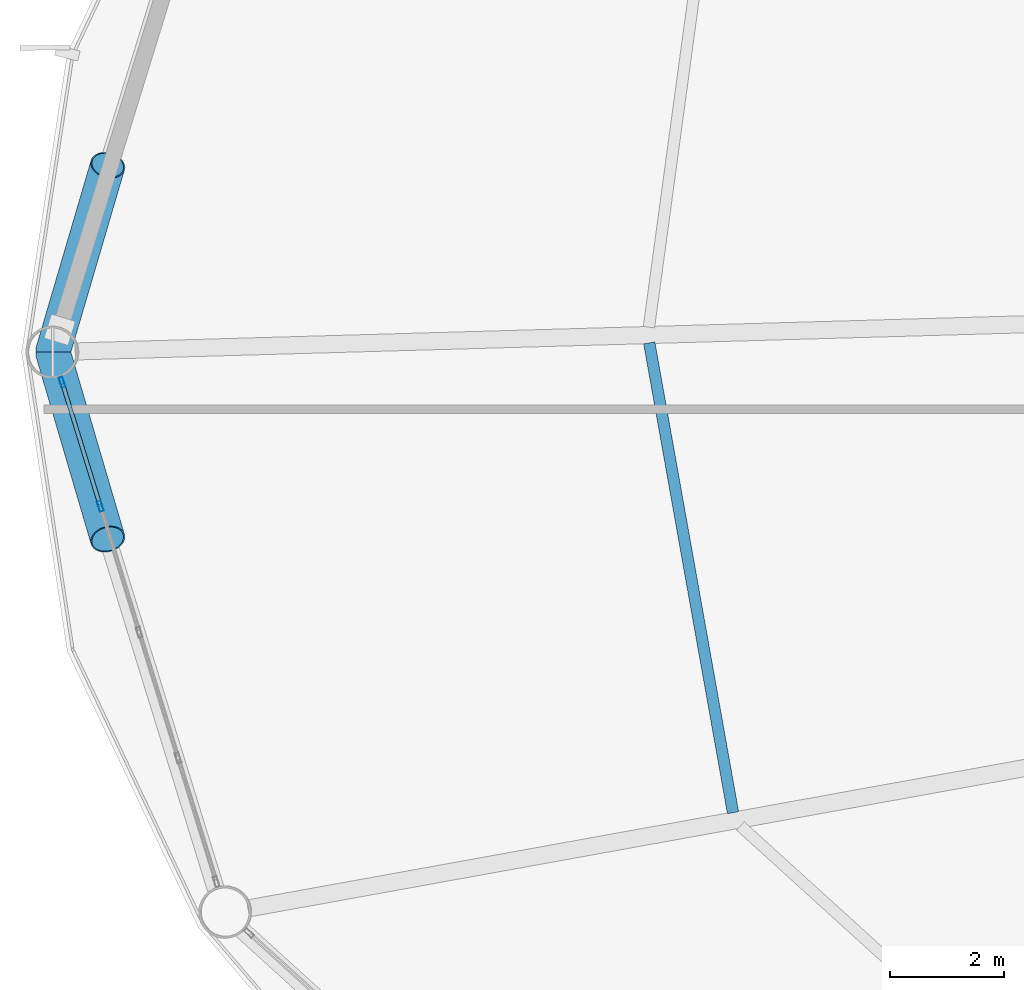
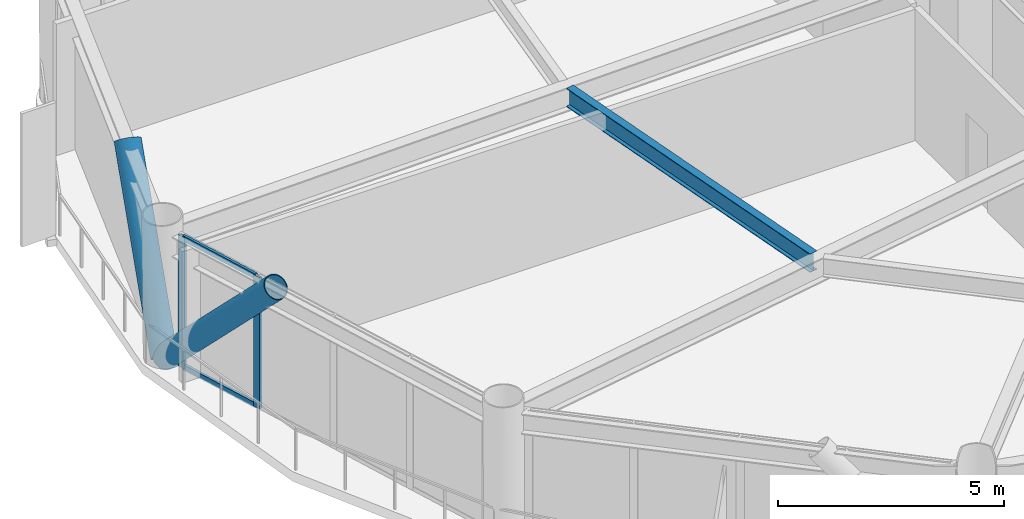
# One storey, part 8 of 25: 6 members, 1 beam, 1 element without a shape of its own.
"""IFC4 building model written with IfcOpenShell, lengths in metres."""

import ifcopenshell
import ifcopenshell.guid

model = None  # the IFC model being written
_history = None  # IfcOwnerHistory: only IFC2X3 demands one
_inside = {}  # id of a spatial element -> (the spatial element, [elements in it])
_under = {}  # id of a project, library or spatial element -> (it, [spatial elements below it])
_declared = {}  # id of a project -> (the project, [libraries it declares])
_typed = {}  # id of a type object -> (the type object, [elements of that type])
_made_of = {}  # id of a material, layer set ... -> (it, [elements and type objects made of it])


def new_model(schema):
    """Start an empty IFC model of exactly this schema.

    Asked for "IFC4X3", IfcOpenShell would pick the latest addendum, in which some entities
    have other attributes; the version numbers below select the first issue.
    IFC2X3 requires an IfcOwnerHistory on every rooted entity: one is made here for all.
    """
    global model, _history
    if schema == "IFC4X3":
        model = ifcopenshell.file(schema_version=(4, 3, 0, 0))
    else:
        model = ifcopenshell.file(schema=schema)
    _inside.clear()
    _under.clear()
    _declared.clear()
    _typed.clear()
    _made_of.clear()
    _history = None
    if model.schema == "IFC2X3":
        org = make("IfcOrganization", Name="unknown")
        user = make(
            "IfcPersonAndOrganization",
            ThePerson=make("IfcPerson", FamilyName="unknown"),
            TheOrganization=org,
        )
        app = make(
            "IfcApplication",
            ApplicationDeveloper=org,
            Version="unknown",
            ApplicationFullName="unknown",
            ApplicationIdentifier="unknown",
        )
        _history = make(
            "IfcOwnerHistory",
            OwningUser=user,
            OwningApplication=app,
            ChangeAction="ADDED",
            CreationDate=0,
        )
    return model


def make(cls, **values):
    """One entity of the class cls with the attributes given. An attribute that is None is left unset."""
    return model.create_entity(
        cls, **{name: value for name, value in values.items() if value is not None}
    )


def rooted(cls, **values):
    """An entity with a GlobalId (a new one), such as an element, a storey or a relation."""
    return make(cls, GlobalId=ifcopenshell.guid.new(), OwnerHistory=_history, **values)


def si_unit(unit_type, name, prefix=None):
    """IfcSIUnit, for example si_unit("LENGTHUNIT", "METRE", prefix="MILLI")."""
    return make("IfcSIUnit", UnitType=unit_type, Prefix=prefix, Name=name)


def assignment(units):
    """IfcUnitAssignment: the units of a project."""
    return None if units is None else make("IfcUnitAssignment", Units=units)


def point(xyz):
    """IfcCartesianPoint."""
    return None if xyz is None else make("IfcCartesianPoint", Coordinates=xyz)


def direction(xyz):
    """IfcDirection."""
    return None if xyz is None else make("IfcDirection", DirectionRatios=xyz)


def frame(location, z_axis=None, x_axis=None):
    """IfcAxis2Placement3D, a coordinate frame: its origin and axes. An axis left out is left unset."""
    return make(
        "IfcAxis2Placement3D",
        Location=point(location),
        Axis=direction(z_axis),
        RefDirection=direction(x_axis),
    )


def frame_2d(location, x_axis=None):
    """IfcAxis2Placement2D, a coordinate frame in the plane: its origin and x axis."""
    return make(
        "IfcAxis2Placement2D", Location=point(location), RefDirection=direction(x_axis)
    )


def origin():
    """The frame at (0, 0, 0) with its axes left unset."""
    return frame((0.0, 0.0, 0.0))


def origin_2d():
    """The frame at (0, 0) in the plane with its x axis left unset."""
    return frame_2d((0.0, 0.0))


def place(relative_to, where):
    """IfcLocalPlacement: puts the frame where relative to a parent placement (None: the world)."""
    return make(
        "IfcLocalPlacement", PlacementRelTo=relative_to, RelativePlacement=where
    )


def context(
    kind, dimensions, precision=None, world=None, true_north=None, identifier=None
):
    """IfcGeometricRepresentationContext, for example the 3D "Model" context."""
    return make(
        "IfcGeometricRepresentationContext",
        ContextIdentifier=identifier,
        ContextType=kind,
        CoordinateSpaceDimension=dimensions,
        Precision=precision,
        WorldCoordinateSystem=world,
        TrueNorth=true_north,
    )


def subcontext(parent, identifier, kind, view, scale=None):
    """IfcGeometricRepresentationSubContext, for example "Body" below "Model"."""
    return make(
        "IfcGeometricRepresentationSubContext",
        ContextIdentifier=identifier,
        ContextType=kind,
        ParentContext=parent,
        TargetScale=scale,
        TargetView=view,
    )


def project(units=None, contexts=None):
    """IfcProject with its units and contexts."""
    return rooted(
        "IfcProject",
        Name="project",
        RepresentationContexts=contexts,
        UnitsInContext=assignment(units),
    )


def spatial(cls, under=None, at=None, **own):
    """A site, building, storey or space (cls), placed at a placement, below another one or the project."""
    s = rooted(cls, ObjectPlacement=at, **own)
    if under is not None:
        _under.setdefault(under.id(), (under, []))[1].append(s)
    return s


def profile(cls, at=None, kind="AREA", **sizes):
    """A parametric profile (cls). Its sizes go by their IFC names, for example OverallWidth=200.0."""
    return make(cls, ProfileType=kind, Position=at, **sizes)


def hollow_rectangle(**sizes):
    """IfcRectangleHollowProfileDef."""
    return profile("IfcRectangleHollowProfileDef", **sizes)


def hollow_circle(**sizes):
    """IfcCircleHollowProfileDef."""
    return profile("IfcCircleHollowProfileDef", **sizes)


def i_section(**sizes):
    """IfcIShapeProfileDef."""
    return profile("IfcIShapeProfileDef", **sizes)


def extrude(swept, where, along, depth):
    """IfcExtrudedAreaSolid: the profile swept, set in the frame where, extruded along a direction by depth."""
    return make(
        "IfcExtrudedAreaSolid",
        SweptArea=swept,
        Position=where,
        ExtrudedDirection=direction(along),
        Depth=depth,
    )


def shape(context_of_items, identifier, shape_type, items):
    """IfcShapeRepresentation: the items that make up one representation, for example the "Body"."""
    return make(
        "IfcShapeRepresentation",
        ContextOfItems=context_of_items,
        RepresentationIdentifier=identifier,
        RepresentationType=shape_type,
        Items=items,
    )


def material(Name=None, Category=None):
    """IfcMaterial."""
    return make("IfcMaterial", Name=Name, Category=Category)


def layer(
    of_material, thickness, ventilated=None, Name=None, Category=None, Priority=None
):
    """IfcMaterialLayer: one layer of a wall or slab, of a material (None: an air gap)."""
    return make(
        "IfcMaterialLayer",
        Material=of_material,
        LayerThickness=thickness,
        IsVentilated=ventilated,
        Name=Name,
        Category=Category,
        Priority=Priority,
    )


def layer_set(layers, Name=None):
    """IfcMaterialLayerSet."""
    return make("IfcMaterialLayerSet", MaterialLayers=layers, LayerSetName=Name)


def material_profile(
    of_material, cross_section, Name=None, Category=None, Priority=None
):
    """IfcMaterialProfile: a cross section and its material."""
    return make(
        "IfcMaterialProfile",
        Name=Name,
        Material=of_material,
        Profile=cross_section,
        Priority=Priority,
        Category=Category,
    )


def profile_set(profiles, Name=None, composite=None):
    """IfcMaterialProfileSet."""
    return make(
        "IfcMaterialProfileSet",
        Name=Name,
        MaterialProfiles=profiles,
        CompositeProfile=composite,
    )


def made_of(thing, what):
    """Note that an element or type object is made of a material, layer set ...; save() writes the relation."""
    if what is not None:
        _made_of.setdefault(what.id(), (what, []))[1].append(thing)
    return thing


def type_object(cls, material=None, **own):
    """A type object (cls), such as IfcWallType, which elements share."""
    return made_of(rooted(cls, **own), material)


def element(
    cls,
    number,
    at=None,
    inside=None,
    cuts=None,
    type_object=None,
    material=None,
    context=None,
    identifier="Body",
    shape_type=None,
    held_by="IfcProductDefinitionShape",
    body=None,
    shapes=None,
    **own,
):
    """One element of the class cls, such as IfcWall. Its Tag is "e" and its number.

    at: its placement. inside: the storey or other place that contains it. cuts: it is an
    opening in that element (IfcRelVoidsElement). A single representation is given by context,
    identifier, shape_type and body (its items); several are given by shapes. held_by: the class
    of the entity that holds the representations. save() writes the other relations.
    """
    e = rooted(cls, Tag="e%d" % number, ObjectPlacement=at, **own)
    if body is not None:
        shapes = [shape(context, identifier, shape_type, body)]
    if shapes is not None:
        e.Representation = make(held_by, Representations=shapes)
    if inside is not None:
        _inside.setdefault(inside.id(), (inside, []))[1].append(e)
    if cuts is not None:
        rooted(
            "IfcRelVoidsElement", RelatingBuildingElement=cuts, RelatedOpeningElement=e
        )
    if type_object is not None:
        _typed.setdefault(type_object.id(), (type_object, []))[1].append(e)
    return made_of(e, material)


def aggregate(whole, parts):
    """IfcRelAggregates: a whole, such as a stair, and the parts it consists of."""
    return rooted("IfcRelAggregates", RelatingObject=whole, RelatedObjects=parts)


def save(model, path):
    """Write the relations noted so far, then the file.

    IfcRelAggregates (storeys below a building ...), IfcRelContainedInSpatialStructure (elements
    in a storey), IfcRelDefinesByType, IfcRelAssociatesMaterial and IfcRelDeclares: one each for
    every whole, place, type object, material and project.
    """
    for whole, parts in _under.values():
        aggregate(whole, parts)
    for where, things in _inside.values():
        rooted(
            "IfcRelContainedInSpatialStructure",
            RelatedElements=things,
            RelatingStructure=where,
        )
    for kind, things in _typed.values():
        rooted("IfcRelDefinesByType", RelatedObjects=things, RelatingType=kind)
    for what, things in _made_of.values():
        rooted("IfcRelAssociatesMaterial", RelatedObjects=things, RelatingMaterial=what)
    for by, libraries in _declared.values():
        rooted("IfcRelDeclares", RelatingContext=by, RelatedDefinitions=libraries)
    model.write(path)


model = new_model("IFC4")

# Units and contexts
model_context = context("Model", 3, precision=1e-05, world=origin(), true_north=direction((0.0, 1.0)))
body_context = subcontext(model_context, "Body", "Model", "MODEL_VIEW")
ifc_project = project(units=[si_unit("LENGTHUNIT", "METRE"), si_unit("AREAUNIT", "SQUARE_METRE"), si_unit("VOLUMEUNIT", "CUBIC_METRE"), si_unit("PLANEANGLEUNIT", "RADIAN"), si_unit("MASSUNIT", "GRAM", prefix="KILO")], contexts=[model_context])

# Site, building, storey
site_placement = place(None, origin())
site = spatial("IfcSite", under=ifc_project, at=site_placement, CompositionType="ELEMENT")
building_placement = place(site_placement, origin())
building = spatial("IfcBuilding", under=site, at=building_placement, Name="Varnakorn Sky Granary", CompositionType="ELEMENT")
storey_placement = place(building_placement, frame((0.0, 0.0, 74.39990234375)))
storey = spatial("IfcBuildingStorey", under=building, at=storey_placement, Name="L18", CompositionType="ELEMENT", Elevation=74.39990234375)

# Beam
ifc_material_1 = material(Name="Steel S355JR", Category="steel")
ifc_material_profile_1 = material_profile(ifc_material_1, i_section(OverallWidth=0.199951171875, OverallDepth=0.5, WebThickness=0.01025390625, FlangeThickness=0.01611328125, at=origin_2d()), Name="IPE 500")
ifc_profile_set_1 = profile_set([ifc_material_profile_1], Name="Steel S355JR")
beam_type = type_object("IfcBeamType", Name="BM-SEC-Z1", PredefinedType="BEAM", material=ifc_profile_set_1)
beam_placement = place(storey_placement, frame((-12.794921875, 0.16259765625, 3.300048828125), z_axis=(0.175569649299, -0.984467012269, 0.0), x_axis=(0.984467012269, 0.175569649299, 0.0)))
element("IfcBeam", 1, at=beam_placement, inside=storey, type_object=beam_type, Name="Secondary Floor Chord Beam MSB07 L18", PredefinedType="BEAM", context=body_context, shape_type="SweptSolid", body=[
    extrude(i_section(OverallWidth=0.199951171875, OverallDepth=0.5, WebThickness=0.01025390625, FlangeThickness=0.01611328125, at=origin_2d()), origin(), (0.0, 0.0, 1.0), 8.3740234375),
])

# Curtain wall, members
ifc_material_2 = material(Name="Anodised Bronze Aluminium Alloy 6063-T6", Category="aluminium")
ifc_layer = layer(ifc_material_2, 0.18994140625, Name="Anodised Bronze Aluminium Alloy 6063-T6")
ifc_layer_set = layer_set([ifc_layer], Name="Anodised Bronze Aluminium Alloy 6063-T6")
curtain_wall_type = type_object("IfcCurtainWallType", Name="CW-FRM-1", PredefinedType="USERDEFINED", material=ifc_layer_set)
curtain_wall_placement = place(storey_placement, origin())
curtain_wall = element("IfcCurtainWall", 2, at=curtain_wall_placement, inside=storey, type_object=curtain_wall_type, Name="Unitised Curtain Wall CW3 CW-L18-B07", ObjectType="CURTAIN WALL", PredefinedType="USERDEFINED")
ifc_material_profile_2 = material_profile(ifc_material_2, hollow_rectangle(XDim=0.070068359375, YDim=0.18505859375, WallThickness=0.00390625, at=origin_2d()), Name="ALU MULL 70x185")
ifc_profile_set_2 = profile_set([ifc_material_profile_2], Name="Anodised Bronze Aluminium Alloy 6063-T6")
member_type_1 = type_object("IfcMemberType", Name="CW-FRM-1-MULL", PredefinedType="MULLION", material=ifc_profile_set_2)
member_1_placement = place(storey_placement, frame((-22.427734375, -2.70263671875, 0.0), z_axis=(0.0, 0.0, 1.0), x_axis=(-0.955503832529, -0.294978687405, 0.0)))
member_1 = element("IfcMember", 3, at=member_1_placement, type_object=member_type_1, Name="CW3 mullion 4", PredefinedType="MULLION", context=body_context, shape_type="SweptSolid", body=[
    extrude(hollow_rectangle(XDim=0.070068359375, YDim=0.18505859375, WallThickness=0.00390625, at=origin_2d()), origin(), (0.0, 0.0, 1.0), 3.550048828125),
])
member_2_placement = place(storey_placement, frame((-23.09912109375, -0.52734375, 0.0), z_axis=(0.0, 0.0, 1.0), x_axis=(-0.955503832529, -0.294978687405, 0.0)))
member_2 = element("IfcMember", 4, at=member_2_placement, type_object=member_type_1, Name="CW3 mullion 5", PredefinedType="MULLION", context=body_context, shape_type="SweptSolid", body=[
    extrude(hollow_rectangle(XDim=0.070068359375, YDim=0.18505859375, WallThickness=0.00390625, at=origin_2d()), origin(), (0.0, 0.0, 1.0), 3.550048828125),
])
ifc_material_profile_3 = material_profile(ifc_material_2, hollow_rectangle(XDim=0.070068359375, YDim=0.139892578125, WallThickness=0.00341796875, at=origin_2d()), Name="ALU TRAN 70x140")
ifc_profile_set_3 = profile_set([ifc_material_profile_3], Name="Anodised Bronze Aluminium Alloy 6063-T6")
member_type_2 = type_object("IfcMemberType", Name="CW-FRM-1-TRAN", PredefinedType="USERDEFINED", material=ifc_profile_set_3)
member_3_placement = place(storey_placement, frame((-22.43798828125, -2.669189453125, 0.03515625), z_axis=(-0.29497205597, 0.955505879729, 0.0), x_axis=(-0.955505879729, -0.29497205597, 0.0)))
member_3 = element("IfcMember", 5, at=member_3_placement, type_object=member_type_2, Name="CW3 transom 4.1", ObjectType="TRANSOM", PredefinedType="USERDEFINED", context=body_context, shape_type="SweptSolid", body=[
    extrude(hollow_rectangle(XDim=0.070068359375, YDim=0.139892578125, WallThickness=0.00341796875, at=origin_2d()), origin(), (0.0, 0.0, 1.0), 2.20654296875),
])
member_4_placement = place(storey_placement, frame((-22.43798828125, -2.669189453125, 3.51513671875), z_axis=(-0.29497205597, 0.955505879729, 0.0), x_axis=(-0.955505879729, -0.29497205597, 0.0)))
member_4 = element("IfcMember", 6, at=member_4_placement, type_object=member_type_2, Name="CW3 transom 4.2", ObjectType="TRANSOM", PredefinedType="USERDEFINED", context=body_context, shape_type="SweptSolid", body=[
    extrude(hollow_rectangle(XDim=0.070068359375, YDim=0.139892578125, WallThickness=0.00341796875, at=origin_2d()), origin(), (0.0, 0.0, 1.0), 2.20654296875),
])
aggregate(curtain_wall, [member_1, member_2, member_3, member_4])

# Members
ifc_material_3 = material(Name="Steel S460M", Category="steel")
ifc_material_profile_4 = material_profile(ifc_material_3, hollow_circle(Radius=0.304931640625, WallThickness=0.022216796875, at=origin_2d()), Name="CHS 610x22")
ifc_profile_set_4 = profile_set([ifc_material_profile_4], Name="Steel S460M")
member_type_3 = type_object("IfcMemberType", Name="MB-DIAG-T1", PredefinedType="BRACE", material=ifc_profile_set_4)
for number, where, z_axis, x_axis, name in (
    (7, (-23.261962890625, 0.0, 0.0), (0.19554927275, 0.665600589466, 0.720233529649), (-0.959449590614, 0.281880263711, 0.0), "Perimeter CHS Diagrid Brace DG06 L18"),
    (8, (-23.261962890625, 0.0, 0.0), (0.19554927275, -0.665600589466, 0.720233529649), (0.959449590614, 0.281880263711, 0.0), "Perimeter CHS Diagrid Brace DG07 L18"),
):
    element("IfcMember", number, at=place(storey_placement, frame(where, z_axis=z_axis, x_axis=x_axis)), inside=storey, type_object=member_type_3, Name=name, PredefinedType="BRACE", context=body_context, shape_type="SweptSolid", body=[
        extrude(hollow_circle(Radius=0.304931640625, WallThickness=0.022216796875, at=origin_2d()), origin(), (0.0, 0.0, 1.0), 4.928955078125),
    ])

save(model, "model.ifc")
